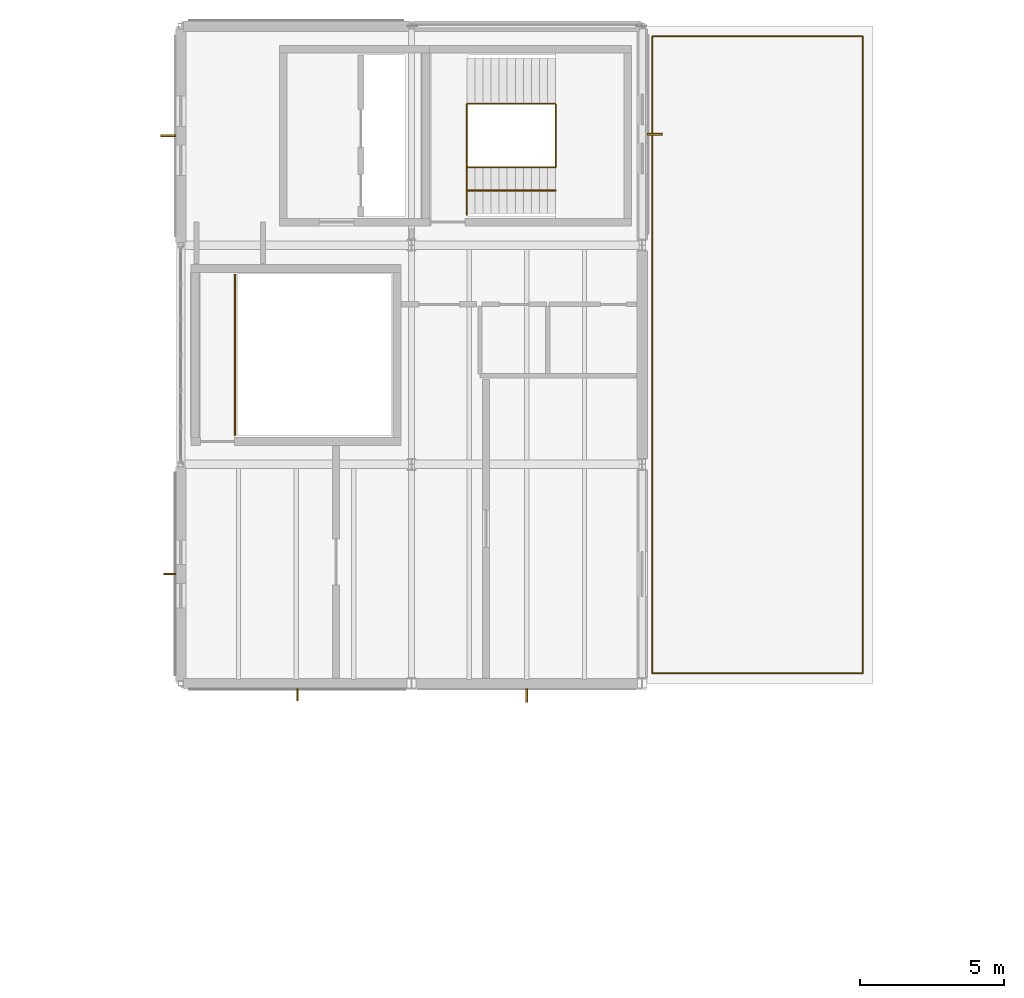
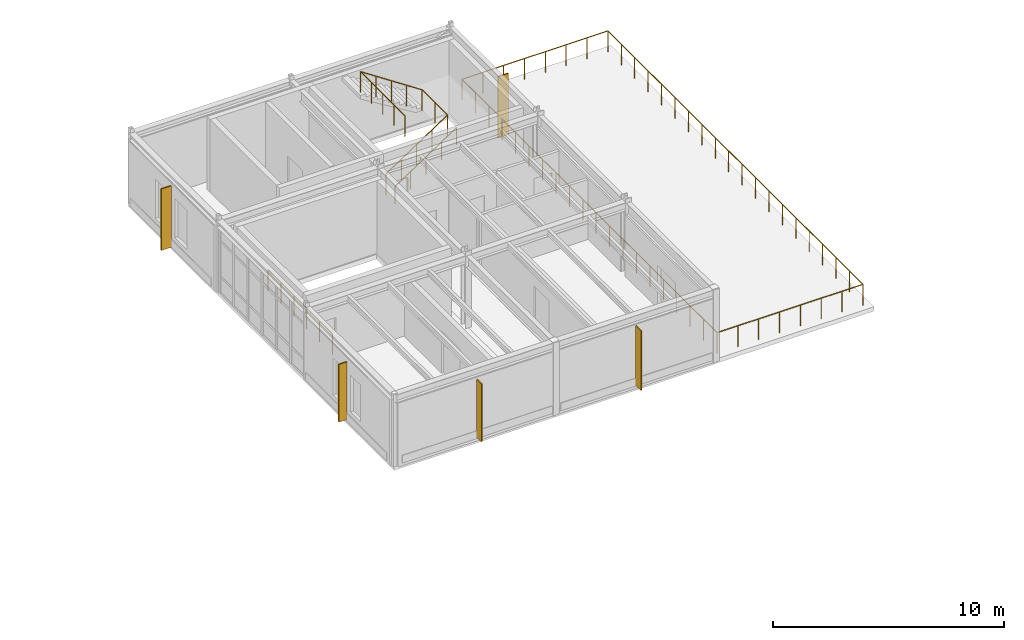
# One storey, part 65 of 65: 5 shading devices, 4 railings.
"""IFC4 building model written with IfcOpenShell, lengths in metres."""

from ifc_helpers import new_model, si_unit, direction, frame, origin, origin_2d, place, context, subcontext, project, spatial, rectangle, circle, extrude, material, type_object, element, save


model = new_model("IFC4")

# Units and contexts
model_context = context("Model", 3, precision=1e-05, world=origin(), true_north=direction((0.0, 1.0)))
body_context = subcontext(model_context, "Body", "Model", "MODEL_VIEW")
ifc_project = project(units=[si_unit("LENGTHUNIT", "METRE"), si_unit("AREAUNIT", "SQUARE_METRE"), si_unit("VOLUMEUNIT", "CUBIC_METRE"), si_unit("PLANEANGLEUNIT", "RADIAN"), si_unit("MASSUNIT", "GRAM", prefix="KILO")], contexts=[model_context])

# Site, building, storey
site_placement = place(None, origin())
site = spatial("IfcSite", under=ifc_project, at=site_placement, CompositionType="ELEMENT")
building_placement = place(site_placement, origin())
building = spatial("IfcBuilding", under=site, at=building_placement, Name="Montecoro Central Library", CompositionType="ELEMENT")
storey_placement = place(building_placement, frame((0.0, 0.0, 17.340087890625)))
storey = spatial("IfcBuildingStorey", under=building, at=storey_placement, Name="L04", CompositionType="ELEMENT", Elevation=17.340087890625)

# Railings
ifc_material_1 = material(Name="Architectural bronze and laminated safety balustrade", Category="aluminium")
railing_type_1 = type_object("IfcRailingType", Name="GRD-EXT-110", PredefinedType="GUARDRAIL", material=ifc_material_1)
railing_1_placement = place(storey_placement, frame((157.35009765625, 96.550048828125, 0.0)))
element("IfcRailing", 1, at=railing_1_placement, inside=storey, type_object=railing_type_1, Name="V5-L04-TGRD-1", PredefinedType="GUARDRAIL", context=body_context, shape_type="SweptSolid", body=[
    extrude(circle(Radius=0.02392578125, at=origin_2d()), frame((0.0, 0.0, 1.09619140625), z_axis=(1.0, 0.0, 0.0), x_axis=(0.0, 1.0, 0.0)), (0.0, 0.0, 1.0), 7.2998046875),
    extrude(circle(Radius=0.02392578125, at=origin_2d()), frame((7.2998046875, 0.0, 1.09619140625), z_axis=(0.0, 1.0, 0.0), x_axis=(-1.0, 0.0, 0.0)), (0.0, 0.0, 1.0), 22.099853515625),
    extrude(circle(Radius=0.02392578125, at=origin_2d()), frame((7.2998046875, 22.099853515625, 1.09619140625), z_axis=(-1.0, 0.0, 0.0), x_axis=(0.0, -1.0, 0.0)), (0.0, 0.0, 1.0), 7.2998046875),
    extrude(circle(Radius=0.02392578125, at=origin_2d()), frame((0.0, 22.099853515625, 1.09619140625), z_axis=(0.0, -1.0, 0.0), x_axis=(1.0, 0.0, 0.0)), (0.0, 0.0, 1.0), 22.099853515625),
    extrude(circle(Radius=0.02099609375, at=origin_2d()), origin(), (0.0, 0.0, 1.0), 1.072021484375),
    extrude(circle(Radius=0.02099609375, at=origin_2d()), frame((1.042724609375, 0.0, 0.0)), (0.0, 0.0, 1.0), 1.072021484375),
    extrude(circle(Radius=0.02099609375, at=origin_2d()), frame((2.085693359375, 0.0, 0.0)), (0.0, 0.0, 1.0), 1.072021484375),
    extrude(circle(Radius=0.02099609375, at=origin_2d()), frame((3.12841796875, 0.0, 0.0)), (0.0, 0.0, 1.0), 1.072021484375),
    extrude(circle(Radius=0.02099609375, at=origin_2d()), frame((4.17138671875, 0.0, 0.0)), (0.0, 0.0, 1.0), 1.072021484375),
    extrude(circle(Radius=0.02099609375, at=origin_2d()), frame((5.214111328125, 0.0, 0.0)), (0.0, 0.0, 1.0), 1.072021484375),
    extrude(circle(Radius=0.02099609375, at=origin_2d()), frame((6.257080078125, 0.0, 0.0)), (0.0, 0.0, 1.0), 1.072021484375),
    extrude(circle(Radius=0.02099609375, at=origin_2d()), frame((7.2998046875, 0.0, 0.0)), (0.0, 0.0, 1.0), 1.072021484375),
    extrude(circle(Radius=0.02099609375, at=origin_2d()), frame((7.2998046875, 1.1630859375, 0.0)), (0.0, 0.0, 1.0), 1.072021484375),
    extrude(circle(Radius=0.02099609375, at=origin_2d()), frame((7.2998046875, 2.326416015625, 0.0)), (0.0, 0.0, 1.0), 1.072021484375),
    extrude(circle(Radius=0.02099609375, at=origin_2d()), frame((7.2998046875, 3.489501953125, 0.0)), (0.0, 0.0, 1.0), 1.072021484375),
    extrude(circle(Radius=0.02099609375, at=origin_2d()), frame((7.2998046875, 4.652587890625, 0.0)), (0.0, 0.0, 1.0), 1.072021484375),
    extrude(circle(Radius=0.02099609375, at=origin_2d()), frame((7.2998046875, 5.815673828125, 0.0)), (0.0, 0.0, 1.0), 1.072021484375),
    extrude(circle(Radius=0.02099609375, at=origin_2d()), frame((7.2998046875, 6.97900390625, 0.0)), (0.0, 0.0, 1.0), 1.072021484375),
    extrude(circle(Radius=0.02099609375, at=origin_2d()), frame((7.2998046875, 8.14208984375, 0.0)), (0.0, 0.0, 1.0), 1.072021484375),
    extrude(circle(Radius=0.02099609375, at=origin_2d()), frame((7.2998046875, 9.30517578125, 0.0)), (0.0, 0.0, 1.0), 1.072021484375),
    extrude(circle(Radius=0.02099609375, at=origin_2d()), frame((7.2998046875, 10.46826171875, 0.0)), (0.0, 0.0, 1.0), 1.072021484375),
    extrude(circle(Radius=0.02099609375, at=origin_2d()), frame((7.2998046875, 11.631591796875, 0.0)), (0.0, 0.0, 1.0), 1.072021484375),
    extrude(circle(Radius=0.02099609375, at=origin_2d()), frame((7.2998046875, 12.794677734375, 0.0)), (0.0, 0.0, 1.0), 1.072021484375),
    extrude(circle(Radius=0.02099609375, at=origin_2d()), frame((7.2998046875, 13.957763671875, 0.0)), (0.0, 0.0, 1.0), 1.072021484375),
    extrude(circle(Radius=0.02099609375, at=origin_2d()), frame((7.2998046875, 15.120849609375, 0.0)), (0.0, 0.0, 1.0), 1.072021484375),
    extrude(circle(Radius=0.02099609375, at=origin_2d()), frame((7.2998046875, 16.2841796875, 0.0)), (0.0, 0.0, 1.0), 1.072021484375),
    extrude(circle(Radius=0.02099609375, at=origin_2d()), frame((7.2998046875, 17.447265625, 0.0)), (0.0, 0.0, 1.0), 1.072021484375),
    extrude(circle(Radius=0.02099609375, at=origin_2d()), frame((7.2998046875, 18.6103515625, 0.0)), (0.0, 0.0, 1.0), 1.072021484375),
    extrude(circle(Radius=0.02099609375, at=origin_2d()), frame((7.2998046875, 19.7734375, 0.0)), (0.0, 0.0, 1.0), 1.072021484375),
    extrude(circle(Radius=0.02099609375, at=origin_2d()), frame((7.2998046875, 20.936767578125, 0.0)), (0.0, 0.0, 1.0), 1.072021484375),
    extrude(circle(Radius=0.02099609375, at=origin_2d()), frame((7.2998046875, 22.099853515625, 0.0)), (0.0, 0.0, 1.0), 1.072021484375),
    extrude(circle(Radius=0.02099609375, at=origin_2d()), frame((6.257080078125, 22.099853515625, 0.0)), (0.0, 0.0, 1.0), 1.072021484375),
    extrude(circle(Radius=0.02099609375, at=origin_2d()), frame((5.214111328125, 22.099853515625, 0.0)), (0.0, 0.0, 1.0), 1.072021484375),
    extrude(circle(Radius=0.02099609375, at=origin_2d()), frame((4.17138671875, 22.099853515625, 0.0)), (0.0, 0.0, 1.0), 1.072021484375),
    extrude(circle(Radius=0.02099609375, at=origin_2d()), frame((3.12841796875, 22.099853515625, 0.0)), (0.0, 0.0, 1.0), 1.072021484375),
    extrude(circle(Radius=0.02099609375, at=origin_2d()), frame((2.085693359375, 22.099853515625, 0.0)), (0.0, 0.0, 1.0), 1.072021484375),
    extrude(circle(Radius=0.02099609375, at=origin_2d()), frame((1.042724609375, 22.099853515625, 0.0)), (0.0, 0.0, 1.0), 1.072021484375),
    extrude(circle(Radius=0.02099609375, at=origin_2d()), frame((0.0, 22.099853515625, 0.0)), (0.0, 0.0, 1.0), 1.072021484375),
    extrude(circle(Radius=0.02099609375, at=origin_2d()), frame((0.0, 20.936767578125, 0.0)), (0.0, 0.0, 1.0), 1.072021484375),
    extrude(circle(Radius=0.02099609375, at=origin_2d()), frame((0.0, 19.7734375, 0.0)), (0.0, 0.0, 1.0), 1.072021484375),
    extrude(circle(Radius=0.02099609375, at=origin_2d()), frame((0.0, 18.6103515625, 0.0)), (0.0, 0.0, 1.0), 1.072021484375),
    extrude(circle(Radius=0.02099609375, at=origin_2d()), frame((0.0, 17.447265625, 0.0)), (0.0, 0.0, 1.0), 1.072021484375),
    extrude(circle(Radius=0.02099609375, at=origin_2d()), frame((0.0, 16.2841796875, 0.0)), (0.0, 0.0, 1.0), 1.072021484375),
    extrude(circle(Radius=0.02099609375, at=origin_2d()), frame((0.0, 15.120849609375, 0.0)), (0.0, 0.0, 1.0), 1.072021484375),
    extrude(circle(Radius=0.02099609375, at=origin_2d()), frame((0.0, 13.957763671875, 0.0)), (0.0, 0.0, 1.0), 1.072021484375),
    extrude(circle(Radius=0.02099609375, at=origin_2d()), frame((0.0, 12.794677734375, 0.0)), (0.0, 0.0, 1.0), 1.072021484375),
    extrude(circle(Radius=0.02099609375, at=origin_2d()), frame((0.0, 11.631591796875, 0.0)), (0.0, 0.0, 1.0), 1.072021484375),
    extrude(circle(Radius=0.02099609375, at=origin_2d()), frame((0.0, 10.46826171875, 0.0)), (0.0, 0.0, 1.0), 1.072021484375),
    extrude(circle(Radius=0.02099609375, at=origin_2d()), frame((0.0, 9.30517578125, 0.0)), (0.0, 0.0, 1.0), 1.072021484375),
    extrude(circle(Radius=0.02099609375, at=origin_2d()), frame((0.0, 8.14208984375, 0.0)), (0.0, 0.0, 1.0), 1.072021484375),
    extrude(circle(Radius=0.02099609375, at=origin_2d()), frame((0.0, 6.97900390625, 0.0)), (0.0, 0.0, 1.0), 1.072021484375),
    extrude(circle(Radius=0.02099609375, at=origin_2d()), frame((0.0, 5.815673828125, 0.0)), (0.0, 0.0, 1.0), 1.072021484375),
    extrude(circle(Radius=0.02099609375, at=origin_2d()), frame((0.0, 4.652587890625, 0.0)), (0.0, 0.0, 1.0), 1.072021484375),
    extrude(circle(Radius=0.02099609375, at=origin_2d()), frame((0.0, 3.489501953125, 0.0)), (0.0, 0.0, 1.0), 1.072021484375),
    extrude(circle(Radius=0.02099609375, at=origin_2d()), frame((0.0, 2.326416015625, 0.0)), (0.0, 0.0, 1.0), 1.072021484375),
    extrude(circle(Radius=0.02099609375, at=origin_2d()), frame((0.0, 1.1630859375, 0.0)), (0.0, 0.0, 1.0), 1.072021484375),
])
ifc_material_2 = material(Name="Brushed stainless steel and bronze balustrade", Category="steel")
railing_type_2 = type_object("IfcRailingType", Name="GRD-INT-110", PredefinedType="GUARDRAIL", material=ifc_material_2)
railing_2_placement = place(storey_placement, frame((150.919921875, 114.10009765625, 0.0)))
element("IfcRailing", 2, at=railing_2_placement, inside=storey, type_object=railing_type_2, Name="C6-L04-STR-GRD", PredefinedType="GUARDRAIL", context=body_context, shape_type="SweptSolid", body=[
    extrude(circle(Radius=0.02392578125, at=origin_2d()), frame((0.0, 0.0, 1.09619140625), z_axis=(0.833744305047, 0.0, 0.552150734675), x_axis=(0.0, 1.0, 0.0)), (0.0, 0.0, 1.0), 3.6943359375),
    extrude(circle(Radius=0.02392578125, at=origin_2d()), frame((3.080078125, 0.0, 3.1357421875), z_axis=(0.0, 1.0, 0.0), x_axis=(-1.0, 0.0, 0.0)), (0.0, 0.0, 1.0), 2.199951171875),
    extrude(circle(Radius=0.02392578125, at=origin_2d()), frame((3.080078125, 2.199951171875, 3.1357421875), z_axis=(-0.833713881912, 0.0, 0.552196670677), x_axis=(0.0, -1.0, 0.0)), (0.0, 0.0, 1.0), 3.6943359375),
    extrude(circle(Radius=0.02392578125, at=origin_2d()), frame((0.0, 2.199951171875, 5.17578125), z_axis=(0.0, -1.0, 0.0), x_axis=(1.0, 0.0, 0.0)), (0.0, 0.0, 1.0), 3.85009765625),
    extrude(circle(Radius=0.02099609375, at=origin_2d()), origin(), (0.0, 0.0, 1.0), 1.072021484375),
    extrude(circle(Radius=0.02099609375, at=origin_2d()), frame((0.77001953125, 0.0, 0.510009765625)), (0.0, 0.0, 1.0), 1.072021484375),
    extrude(circle(Radius=0.02099609375, at=origin_2d()), frame((1.5400390625, 0.0, 1.02001953125)), (0.0, 0.0, 1.0), 1.072021484375),
    extrude(circle(Radius=0.02099609375, at=origin_2d()), frame((2.31005859375, 0.0, 1.52978515625)), (0.0, 0.0, 1.0), 1.072021484375),
    extrude(circle(Radius=0.02099609375, at=origin_2d()), frame((3.080078125, 0.0, 2.039794921875)), (0.0, 0.0, 1.0), 1.072021484375),
    extrude(circle(Radius=0.02099609375, at=origin_2d()), frame((3.080078125, 1.10009765625, 2.039794921875)), (0.0, 0.0, 1.0), 1.072021484375),
    extrude(circle(Radius=0.02099609375, at=origin_2d()), frame((3.080078125, 2.199951171875, 2.039794921875)), (0.0, 0.0, 1.0), 1.072021484375),
    extrude(circle(Radius=0.02099609375, at=origin_2d()), frame((2.31005859375, 2.199951171875, 2.5498046875)), (0.0, 0.0, 1.0), 1.072021484375),
    extrude(circle(Radius=0.02099609375, at=origin_2d()), frame((1.5400390625, 2.199951171875, 3.059814453125)), (0.0, 0.0, 1.0), 1.072021484375),
    extrude(circle(Radius=0.02099609375, at=origin_2d()), frame((0.77001953125, 2.199951171875, 3.56982421875)), (0.0, 0.0, 1.0), 1.072021484375),
    extrude(circle(Radius=0.02099609375, at=origin_2d()), frame((0.0, 2.199951171875, 4.079833984375)), (0.0, 0.0, 1.0), 1.072021484375),
    extrude(circle(Radius=0.02099609375, at=origin_2d()), frame((0.0, 1.2373046875, 4.079833984375)), (0.0, 0.0, 1.0), 1.072021484375),
    extrude(circle(Radius=0.02099609375, at=origin_2d()), frame((0.0, 0.27490234375, 4.079833984375)), (0.0, 0.0, 1.0), 1.072021484375),
    extrude(circle(Radius=0.02099609375, at=origin_2d()), frame((0.0, -0.6875, 4.079833984375)), (0.0, 0.0, 1.0), 1.072021484375),
    extrude(circle(Radius=0.02099609375, at=origin_2d()), frame((0.0, -1.650146484375, 4.079833984375)), (0.0, 0.0, 1.0), 1.072021484375),
])
railing_3_placement = place(storey_placement, frame((142.8798828125, 104.820068359375, 0.0)))
element("IfcRailing", 3, at=railing_3_placement, inside=storey, type_object=railing_type_2, Name="C8-L04-ELND-GRD", PredefinedType="GUARDRAIL", context=body_context, shape_type="SweptSolid", body=[
    extrude(circle(Radius=0.02392578125, at=origin_2d()), frame((0.0, 0.0, 1.09619140625), z_axis=(0.0, 1.0, 0.0), x_axis=(-1.0, 0.0, 0.0)), (0.0, 0.0, 1.0), 5.559814453125),
    extrude(circle(Radius=0.02099609375, at=origin_2d()), origin(), (0.0, 0.0, 1.0), 1.072021484375),
    extrude(circle(Radius=0.02099609375, at=origin_2d()), frame((0.0, 1.112060546875, 0.0)), (0.0, 0.0, 1.0), 1.072021484375),
    extrude(circle(Radius=0.02099609375, at=origin_2d()), frame((0.0, 2.223876953125, 0.0)), (0.0, 0.0, 1.0), 1.072021484375),
    extrude(circle(Radius=0.02099609375, at=origin_2d()), frame((0.0, 3.3359375, 0.0)), (0.0, 0.0, 1.0), 1.072021484375),
    extrude(circle(Radius=0.02099609375, at=origin_2d()), frame((0.0, 4.44775390625, 0.0)), (0.0, 0.0, 1.0), 1.072021484375),
    extrude(circle(Radius=0.02099609375, at=origin_2d()), frame((0.0, 5.559814453125, 0.0)), (0.0, 0.0, 1.0), 1.072021484375),
])
ifc_material_3 = material(Name="Brushed architectural bronze handrail")
railing_type_3 = type_object("IfcRailingType", Name="HRL-STR-095", PredefinedType="HANDRAIL", material=ifc_material_3)
railing_4_placement = place(storey_placement, frame((150.919921875, 113.300048828125, 0.0)))
element("IfcRailing", 4, at=railing_4_placement, inside=storey, type_object=railing_type_3, Name="C6-L04-STR-HR1", PredefinedType="HANDRAIL", context=body_context, shape_type="SweptSolid", body=[
    extrude(circle(Radius=0.02392578125, at=origin_2d()), frame((0.0, 0.0, 0.92578125), z_axis=(0.833744305047, 0.0, 0.552150734675), x_axis=(0.0, 1.0, 0.0)), (0.0, 0.0, 1.0), 3.6943359375),
    extrude(circle(Radius=0.02099609375, at=origin_2d()), origin(), (0.0, 0.0, 1.0), 0.90185546875),
    extrude(circle(Radius=0.02099609375, at=origin_2d()), frame((0.77001953125, 0.0, 0.510009765625)), (0.0, 0.0, 1.0), 0.90185546875),
    extrude(circle(Radius=0.02099609375, at=origin_2d()), frame((1.5400390625, 0.0, 1.02001953125)), (0.0, 0.0, 1.0), 0.90185546875),
    extrude(circle(Radius=0.02099609375, at=origin_2d()), frame((2.31005859375, 0.0, 1.52978515625)), (0.0, 0.0, 1.0), 0.90185546875),
    extrude(circle(Radius=0.02099609375, at=origin_2d()), frame((3.080078125, 0.0, 2.039794921875)), (0.0, 0.0, 1.0), 0.90185546875),
])

# Shading devices
ifc_material_4 = material(Name="Architectural bronze solar fin", Category="aluminium")
shading_device_type_1 = type_object("IfcShadingDeviceType", Name="SHD-FIN-15", PredefinedType="USERDEFINED", material=ifc_material_4)
for number, where, z_axis, x_axis, name in (
    (5, (145.04345703125, 95.814453125, 0.21484375), (0.0, 0.0, 1.0), (1.0, 0.0, 0.0), "V5-L04-FIN-S0"),
    (6, (140.614501953125, 100.0, 0.21484375), (0.0, 0.0, 1.0), (0.0, -1.0, 0.0), "V5-L04-FIN-W0"),
):
    element("IfcShadingDevice", number, at=place(storey_placement, frame(where, z_axis=z_axis, x_axis=x_axis)), inside=storey, type_object=shading_device_type_1, Name=name, ObjectType="SOLAR FIN", PredefinedType="USERDEFINED", context=body_context, shape_type="SweptSolid", body=[
        extrude(rectangle(XDim=0.06005859375, YDim=0.409912109375, at=origin_2d()), origin(), (0.0, 0.0, 1.0), 3.050048828125),
    ])
shading_device_type_2 = type_object("IfcShadingDeviceType", Name="SHD-FIN-16", PredefinedType="USERDEFINED", material=ifc_material_4)
shading_device_placement = place(storey_placement, frame((153.0, 95.784423828125, 0.1650390625), z_axis=(0.0, 0.0, 1.0), x_axis=(1.0, 0.0, 0.0)))
element("IfcShadingDevice", 7, at=shading_device_placement, inside=storey, type_object=shading_device_type_2, Name="V5-L04-FIN-S1", ObjectType="SOLAR FIN", PredefinedType="USERDEFINED", context=body_context, shape_type="SweptSolid", body=[
    extrude(rectangle(XDim=0.06005859375, YDim=0.469970703125, at=origin_2d()), origin(), (0.0, 0.0, 1.0), 3.14990234375),
])
shading_device_type_3 = type_object("IfcShadingDeviceType", Name="SHD-FIN-17", PredefinedType="USERDEFINED", material=ifc_material_4)
for number, where, z_axis, x_axis, name in (
    (8, (157.4404296875, 115.25244140625, 0.114990234375), (0.0, 0.0, 1.0), (0.0, 1.0, 0.0), "V5-L04-FIN-E2"),
    (9, (140.5595703125, 115.199951171875, 0.114990234375), (0.0, 0.0, 1.0), (0.0, -1.0, 0.0), "V5-L04-FIN-W2"),
):
    element("IfcShadingDevice", number, at=place(storey_placement, frame(where, z_axis=z_axis, x_axis=x_axis)), inside=storey, type_object=shading_device_type_3, Name=name, ObjectType="SOLAR FIN", PredefinedType="USERDEFINED", context=body_context, shape_type="SweptSolid", body=[
        extrude(rectangle(XDim=0.06005859375, YDim=0.52001953125, at=origin_2d()), origin(), (0.0, 0.0, 1.0), 3.25),
    ])

save(model, "model.ifc")
